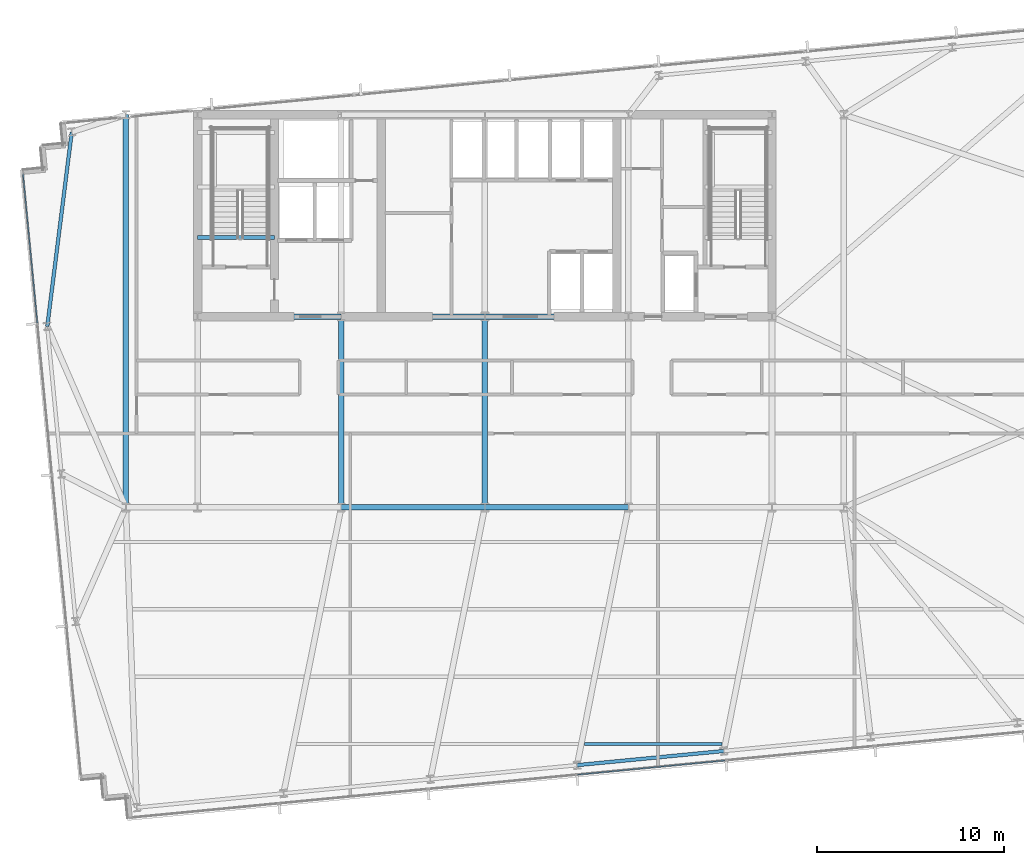
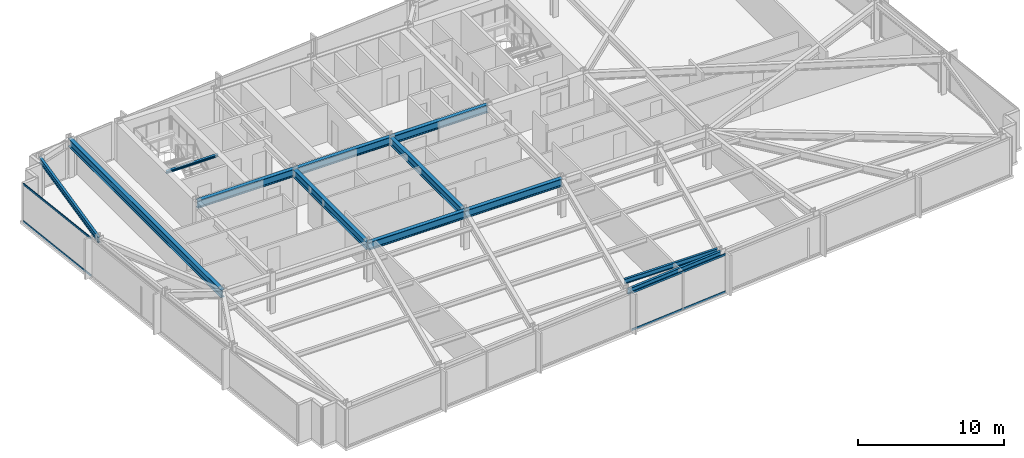
# One storey, part 9 of 32: 12 beams, 4 members, 2 elements without a shape of their own.
"""IFC4 building model written with IfcOpenShell, lengths in metres."""

from ifc_helpers import new_model, si_unit, direction, frame, origin, origin_2d, place, context, subcontext, project, spatial, hollow_rectangle, i_section, extrude, material, material_profile, profile_set, type_object, element, aggregate, save


model = new_model("IFC4")

# Units and contexts
model_context = context("Model", 3, precision=1e-05, world=origin(), true_north=direction((0.0, 1.0)))
body_context = subcontext(model_context, "Body", "Model", "MODEL_VIEW")
ifc_project = project(units=[si_unit("LENGTHUNIT", "METRE"), si_unit("AREAUNIT", "SQUARE_METRE"), si_unit("VOLUMEUNIT", "CUBIC_METRE"), si_unit("PLANEANGLEUNIT", "RADIAN"), si_unit("MASSUNIT", "GRAM", prefix="KILO")], contexts=[model_context])

# Site, building, storey
site_placement = place(None, origin())
site = spatial("IfcSite", under=ifc_project, at=site_placement, CompositionType="ELEMENT")
building_placement = place(site_placement, origin())
building = spatial("IfcBuilding", under=site, at=building_placement, Name="Yelkora Congress Tower", CompositionType="ELEMENT")
storey_placement = place(building_placement, frame((0.0, 0.0, 120.300048828125)))
storey = spatial("IfcBuildingStorey", under=building, at=storey_placement, Name="L32", CompositionType="ELEMENT", Elevation=120.300048828125)

# Beams
ifc_material_1 = material(Name="Steel S355J2", Category="steel")
ifc_material_profile_1 = material_profile(ifc_material_1, i_section(OverallWidth=0.300048828125, OverallDepth=0.64990234375, WebThickness=0.01611328125, FlangeThickness=0.031005859375, FilletRadius=0.027099609375, at=origin_2d()), Name="HEB 650")
ifc_profile_set_1 = profile_set([ifc_material_profile_1], Name="Steel S355J2")
beam_type_1 = type_object("IfcBeamType", Name="BM-GIRD-HEB650", PredefinedType="BEAM", material=ifc_profile_set_1)
beam_1_placement = place(storey_placement, frame((30.719970703125, 25.199951171875, 2.85498046875), z_axis=(1.0, 0.0, 0.0), x_axis=(0.0, 1.0, 0.0)))
element("IfcBeam", 1, at=beam_1_placement, inside=storey, type_object=beam_type_1, Name="L32 Spine Grid D Girder 3", PredefinedType="BEAM", context=body_context, shape_type="SweptSolid", body=[
    extrude(i_section(OverallWidth=0.300048828125, OverallDepth=0.64990234375, WebThickness=0.01611328125, FlangeThickness=0.031005859375, FilletRadius=0.027099609375, at=origin_2d()), origin(), (0.0, 0.0, 1.0), 7.679931640625),
])
beam_2_placement = place(storey_placement, frame((38.39990234375, 25.199951171875, 2.85498046875), z_axis=(1.0, 0.0, 0.0), x_axis=(0.0, 1.0, 0.0)))
element("IfcBeam", 2, at=beam_2_placement, inside=storey, type_object=beam_type_1, Name="L32 Spine Grid D Girder 4", PredefinedType="BEAM", context=body_context, shape_type="SweptSolid", body=[
    extrude(i_section(OverallWidth=0.300048828125, OverallDepth=0.64990234375, WebThickness=0.01611328125, FlangeThickness=0.031005859375, FilletRadius=0.027099609375, at=origin_2d()), origin(), (0.0, 0.0, 1.0), 7.68017578125),
])
for number, where, z_axis, x_axis, name in (
    (3, (23.0400390625, 35.39990234375, 2.85498046875), (1.0, 0.0, 0.0), (0.0, 1.0, 0.0), "L32 Core South Girder 1"),
    (4, (30.719970703125, 35.39990234375, 2.85498046875), (1.0, 0.0, 0.0), (0.0, 1.0, 0.0), "L32 Core South Girder 2"),
):
    element("IfcBeam", number, at=place(storey_placement, frame(where, z_axis=z_axis, x_axis=x_axis)), inside=storey, type_object=beam_type_1, Name=name, PredefinedType="BEAM", context=body_context, shape_type="SweptSolid", body=[
        extrude(i_section(OverallWidth=0.300048828125, OverallDepth=0.64990234375, WebThickness=0.01611328125, FlangeThickness=0.031005859375, FilletRadius=0.027099609375, at=origin_2d()), origin(), (0.0, 0.0, 1.0), 7.679931640625),
    ])
beam_3_placement = place(storey_placement, frame((38.39990234375, 35.39990234375, 2.85498046875), z_axis=(1.0, 0.0, 0.0), x_axis=(0.0, 1.0, 0.0)))
element("IfcBeam", 5, at=beam_3_placement, inside=storey, type_object=beam_type_1, Name="L32 Core South Girder 3", PredefinedType="BEAM", context=body_context, shape_type="SweptSolid", body=[
    extrude(i_section(OverallWidth=0.300048828125, OverallDepth=0.64990234375, WebThickness=0.01611328125, FlangeThickness=0.031005859375, FilletRadius=0.027099609375, at=origin_2d()), origin(), (0.0, 0.0, 1.0), 7.68017578125),
])
for number, where, z_axis, x_axis, name in (
    (6, (30.719970703125, 25.199951171875, 2.85498046875), (0.0, 1.0, 0.0), (-1.0, 0.0, 0.0), "L32 Core Tie Girder MC-D2"),
    (7, (38.39990234375, 25.199951171875, 2.85498046875), (0.0, 1.0, 0.0), (-1.0, 0.0, 0.0), "L32 Core Tie Girder MC-D3"),
):
    element("IfcBeam", number, at=place(storey_placement, frame(where, z_axis=z_axis, x_axis=x_axis)), inside=storey, type_object=beam_type_1, Name=name, PredefinedType="BEAM", context=body_context, shape_type="SweptSolid", body=[
        extrude(i_section(OverallWidth=0.300048828125, OverallDepth=0.64990234375, WebThickness=0.01611328125, FlangeThickness=0.031005859375, FilletRadius=0.027099609375, at=origin_2d()), origin(), (0.0, 0.0, 1.0), 10.199951171875),
    ])
beam_4_placement = place(storey_placement, frame((19.199951171875, 25.199951171875, 2.85498046875), z_axis=(0.0, 1.0, 0.0), x_axis=(-1.0, 0.0, 0.0)))
element("IfcBeam", 8, at=beam_4_placement, inside=storey, type_object=beam_type_1, Name="L32 Neck Flank Girder MC-F1", PredefinedType="BEAM", context=body_context, shape_type="SweptSolid", body=[
    extrude(i_section(OverallWidth=0.300048828125, OverallDepth=0.64990234375, WebThickness=0.01611328125, FlangeThickness=0.031005859375, FilletRadius=0.027099609375, at=origin_2d()), origin(), (0.0, 0.0, 1.0), 21.0),
])
ifc_material_profile_2 = material_profile(ifc_material_1, i_section(OverallWidth=0.179931640625, OverallDepth=0.39990234375, WebThickness=0.008544921875, FlangeThickness=0.013427734375, FilletRadius=0.02099609375, at=origin_2d()), Name="IPE 400")
ifc_profile_set_2 = profile_set([ifc_material_profile_2], Name="Steel S355J2")
beam_type_2 = type_object("IfcBeamType", Name="BM-JOIST-IPE400", PredefinedType="JOIST", material=ifc_profile_set_2)
beam_5_placement = place(storey_placement, frame((43.7197265625, 12.54443359375, 2.97998046875), z_axis=(1.0, 0.0, 0.0), x_axis=(0.0, 1.0, 0.0)))
element("IfcBeam", 9, at=beam_5_placement, inside=storey, type_object=beam_type_2, Name="L32 Composite Floor Joist 3", PredefinedType="JOIST", context=body_context, shape_type="SweptSolid", body=[
    extrude(i_section(OverallWidth=0.179931640625, OverallDepth=0.39990234375, WebThickness=0.008544921875, FlangeThickness=0.013427734375, FilletRadius=0.02099609375, at=origin_2d()), origin(), (0.0, 0.0, 1.0), 7.37841796875),
])
ifc_material_profile_3 = material_profile(ifc_material_1, i_section(OverallWidth=0.199951171875, OverallDepth=0.18994140625, WebThickness=0.006591796875, FlangeThickness=0.010009765625, FilletRadius=0.01806640625, at=origin_2d()), Name="HEA 200")
ifc_profile_set_3 = profile_set([ifc_material_profile_3], Name="Steel S355J2")
beam_type_3 = type_object("IfcBeamType", Name="BM-LAND-HEA200", PredefinedType="BEAM", material=ifc_profile_set_3)
beam_6_placement = place(storey_placement, frame((23.0400390625, 39.639892578125, 2.947265625), z_axis=(1.0, 0.0, 0.0), x_axis=(0.0, 1.0, 0.0)))
element("IfcBeam", 10, at=beam_6_placement, inside=storey, type_object=beam_type_3, Name="ST-01 L32 Floor Arrival Stringer Header Beam", PredefinedType="BEAM", context=body_context, shape_type="SweptSolid", body=[
    extrude(i_section(OverallWidth=0.199951171875, OverallDepth=0.18994140625, WebThickness=0.006591796875, FlangeThickness=0.010009765625, FilletRadius=0.01806640625, at=origin_2d()), origin(), (0.0, 0.0, 1.0), 4.10986328125),
])
ifc_material_profile_4 = material_profile(ifc_material_1, i_section(OverallWidth=0.18994140625, OverallDepth=0.449951171875, WebThickness=0.009521484375, FlangeThickness=0.0146484375, FilletRadius=0.02099609375, at=origin_2d()), Name="IPE 450")
ifc_profile_set_4 = profile_set([ifc_material_profile_4], Name="Steel S355J2")
beam_type_4 = type_object("IfcBeamType", Name="BM-SPAN-IPE450", PredefinedType="SPANDREL", material=ifc_profile_set_4)
beam_7_placement = place(storey_placement, frame((43.334228515625, 11.411865234375, 2.954833984375), z_axis=(0.995398529126, 0.09582154358, 0.0), x_axis=(-0.09582154358, 0.995398529126, 0.0)))
element("IfcBeam", 11, at=beam_7_placement, inside=storey, type_object=beam_type_4, Name="L32 Perimeter Beam 6", PredefinedType="SPANDREL", context=body_context, shape_type="SweptSolid", body=[
    extrude(i_section(OverallWidth=0.18994140625, OverallDepth=0.449951171875, WebThickness=0.009521484375, FlangeThickness=0.0146484375, FilletRadius=0.02099609375, at=origin_2d()), origin(), (0.0, 0.0, 1.0), 7.8857421875),
])
beam_8_placement = place(storey_placement, frame((16.306884765625, 45.27734375, 2.954833984375), z_axis=(-0.124952129665, -0.992162771571, 0.0), x_axis=(0.992162771571, -0.124952129665, 0.0)))
element("IfcBeam", 12, at=beam_8_placement, inside=storey, type_object=beam_type_4, Name="L32 Perimeter Beam 18", PredefinedType="SPANDREL", context=body_context, shape_type="SweptSolid", body=[
    extrude(i_section(OverallWidth=0.18994140625, OverallDepth=0.449951171875, WebThickness=0.009521484375, FlangeThickness=0.0146484375, FilletRadius=0.02099609375, at=origin_2d()), origin(), (0.0, 0.0, 1.0), 10.48046875),
])

# Curtain wall, members
ifc_material_2 = material(Name="Anodised aluminium and insulated glass", Category="aluminium")
curtain_wall_type = type_object("IfcCurtainWallType", Name="CW-SYS-B2", PredefinedType="NOTDEFINED", material=ifc_material_2)
curtain_wall_1_placement = place(storey_placement, origin())
curtain_wall_1 = element("IfcCurtainWall", 13, at=curtain_wall_1_placement, inside=storey, type_object=curtain_wall_type, Name="L32 Unitised Curtain Wall 5", PredefinedType="NOTDEFINED")
ifc_material_3 = material(Name="Anodised aluminium 6063-T6", Category="aluminium")
ifc_material_profile_5 = material_profile(ifc_material_3, hollow_rectangle(XDim=0.06494140625, YDim=0.159912109375, WallThickness=0.00390625, at=origin_2d()), Name="ALU 65x160x4")
ifc_profile_set_5 = profile_set([ifc_material_profile_5], Name="Anodised aluminium 6063-T6")
member_type = type_object("IfcMemberType", Name="MEM-TR-B2", PredefinedType="USERDEFINED", material=ifc_profile_set_5)
member_1_placement = place(storey_placement, frame((14.466796875, 35.06884765625, 0.032470703125), z_axis=(-0.095858482834, 0.995394972495, 0.0), x_axis=(-0.995394972495, -0.095858482834, 0.0)))
member_1 = element("IfcMember", 14, at=member_1_placement, type_object=member_type, Name="CW-B2 transom 4.1", ObjectType="TRANSOM", PredefinedType="USERDEFINED", context=body_context, shape_type="SweptSolid", body=[
    extrude(hollow_rectangle(XDim=0.06494140625, YDim=0.159912109375, WallThickness=0.00390625, at=origin_2d()), origin(), (0.0, 0.0, 1.0), 8.025146484375),
])
member_2_placement = place(storey_placement, frame((14.466796875, 35.06884765625, 3.1474609375), z_axis=(-0.095858482834, 0.995394972495, 0.0), x_axis=(-0.995394972495, -0.095858482834, 0.0)))
member_2 = element("IfcMember", 15, at=member_2_placement, type_object=member_type, Name="CW-B2 transom 4.2", ObjectType="TRANSOM", PredefinedType="USERDEFINED", context=body_context, shape_type="SweptSolid", body=[
    extrude(hollow_rectangle(XDim=0.06494140625, YDim=0.159912109375, WallThickness=0.00390625, at=origin_2d()), origin(), (0.0, 0.0, 1.0), 8.025146484375),
])
aggregate(curtain_wall_1, [member_1, member_2])

curtain_wall_2_placement = place(storey_placement, origin())
curtain_wall_2 = element("IfcCurtainWall", 16, at=curtain_wall_2_placement, inside=storey, type_object=curtain_wall_type, Name="L32 Unitised Curtain Wall 20", PredefinedType="NOTDEFINED")
member_3_placement = place(storey_placement, frame((51.255859375, 11.662353515625, 0.032470703125), z_axis=(-0.995394074338, -0.095867808848, 0.0), x_axis=(0.095867808848, -0.995394074338, 0.0)))
member_3 = element("IfcMember", 17, at=member_3_placement, type_object=member_type, Name="CW-B2 transom 4.1", ObjectType="TRANSOM", PredefinedType="USERDEFINED", context=body_context, shape_type="SweptSolid", body=[
    extrude(hollow_rectangle(XDim=0.06494140625, YDim=0.159912109375, WallThickness=0.00390625, at=origin_2d()), origin(), (0.0, 0.0, 1.0), 7.932861328125),
])
member_4_placement = place(storey_placement, frame((51.255859375, 11.662353515625, 3.1474609375), z_axis=(-0.995394074338, -0.095867808848, 0.0), x_axis=(0.095867808848, -0.995394074338, 0.0)))
member_4 = element("IfcMember", 18, at=member_4_placement, type_object=member_type, Name="CW-B2 transom 4.2", ObjectType="TRANSOM", PredefinedType="USERDEFINED", context=body_context, shape_type="SweptSolid", body=[
    extrude(hollow_rectangle(XDim=0.06494140625, YDim=0.159912109375, WallThickness=0.00390625, at=origin_2d()), origin(), (0.0, 0.0, 1.0), 7.932861328125),
])
aggregate(curtain_wall_2, [member_3, member_4])

save(model, "model.ifc")
